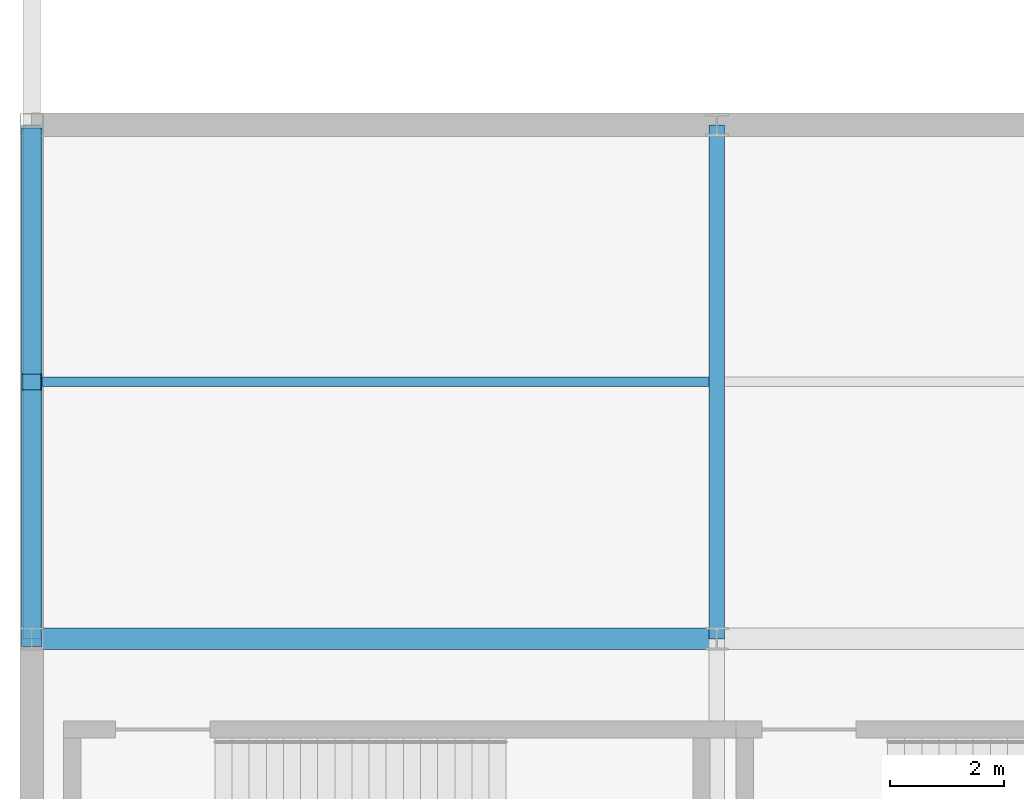
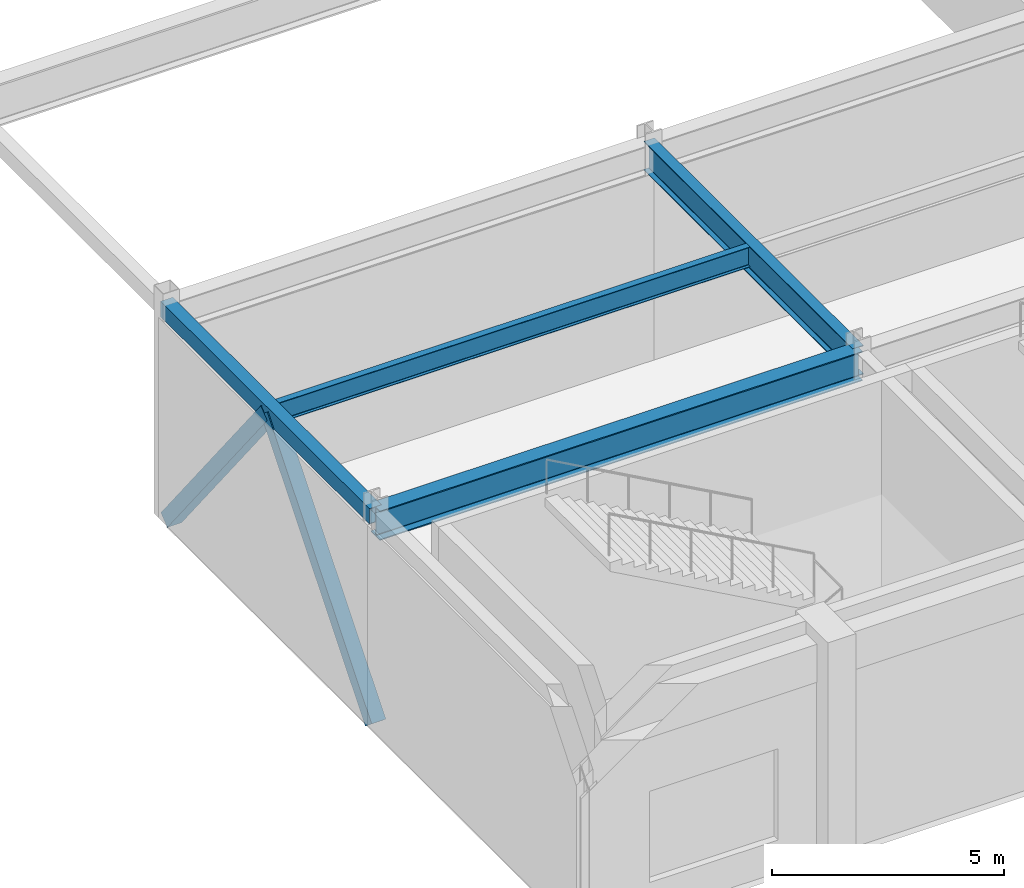
# One storey, part 15 of 105: 4 beams, 2 members.
"""IFC4 building model written with IfcOpenShell, lengths in metres."""

from ifc_helpers import new_model, si_unit, direction, frame, origin, origin_2d, place, context, subcontext, project, spatial, hollow_rectangle, i_section, extrude, material, material_profile, profile_set, type_object, element, save


model = new_model("IFC4")

# Units and contexts
model_context = context("Model", 3, precision=1e-05, world=origin(), true_north=direction((0.0, 1.0)))
body_context = subcontext(model_context, "Body", "Model", "MODEL_VIEW")
ifc_project = project(units=[si_unit("LENGTHUNIT", "METRE"), si_unit("AREAUNIT", "SQUARE_METRE"), si_unit("VOLUMEUNIT", "CUBIC_METRE"), si_unit("PLANEANGLEUNIT", "RADIAN"), si_unit("MASSUNIT", "GRAM", prefix="KILO")], contexts=[model_context])

# Site, building, storey
site_placement = place(None, origin())
site = spatial("IfcSite", under=ifc_project, at=site_placement, CompositionType="ELEMENT")
building_placement = place(site_placement, origin())
building = spatial("IfcBuilding", under=site, at=building_placement, Name="Kaldorvane Square Convention Centre", CompositionType="ELEMENT")
storey_placement = place(building_placement, frame((0.0, 0.0, 6.0)))
storey = spatial("IfcBuildingStorey", under=building, at=storey_placement, Name="L01", CompositionType="ELEMENT", Elevation=6.0)

# Beams
ifc_material_1 = material(Name="Steel ASTM A992 Gr. 50", Category="steel")
ifc_material_profile_1 = material_profile(ifc_material_1, i_section(OverallWidth=0.2666015625, OverallDepth=0.762298583984375, WebThickness=0.014404296875, FlangeThickness=0.0216064453125, FilletRadius=0.0164947509765625, at=origin_2d()), Name="W30X116")
ifc_profile_set_1 = profile_set([ifc_material_profile_1], Name="Steel ASTM A992 Gr. 50")
beam_type_1 = type_object("IfcBeamType", Name="BM-GR-W30X116", PredefinedType="BEAM", material=ifc_profile_set_1)
beam_1_placement = place(storey_placement, frame((12.0, 9.0, 5.2949066162109375), z_axis=(0.0, 1.0, 0.0), x_axis=(-1.0, 0.0, 0.0)))
element("IfcBeam", 1, at=beam_1_placement, inside=storey, type_object=beam_type_1, Name="Transverse Girder (L01)", PredefinedType="BEAM", context=body_context, shape_type="SweptSolid", body=[
    extrude(i_section(OverallWidth=0.2666015625, OverallDepth=0.762298583984375, WebThickness=0.014404296875, FlangeThickness=0.0216064453125, FilletRadius=0.0164947509765625, at=origin_2d()), origin(), (0.0, 0.0, 1.0), 9.0),
])
ifc_material_profile_2 = material_profile(ifc_material_1, i_section(OverallWidth=0.380706787109375, OverallDepth=0.773193359375, WebThickness=0.0166015625, FlangeThickness=0.027099609375, FilletRadius=0.0164947509765625, at=origin_2d()), Name="W30X173")
ifc_profile_set_2 = profile_set([ifc_material_profile_2], Name="Steel ASTM A992 Gr. 50")
beam_type_2 = type_object("IfcBeamType", Name="BM-GR-W30X173", PredefinedType="BEAM", material=ifc_profile_set_2)
beam_2_placement = place(storey_placement, frame((0.0, 9.0, 5.289398193359375), z_axis=(1.0, 0.0, 0.0), x_axis=(0.0, 1.0, 0.0)))
element("IfcBeam", 2, at=beam_2_placement, inside=storey, type_object=beam_type_2, Name="Primary Girder (L01)", PredefinedType="BEAM", context=body_context, shape_type="SweptSolid", body=[
    extrude(i_section(OverallWidth=0.380706787109375, OverallDepth=0.773193359375, WebThickness=0.0166015625, FlangeThickness=0.027099609375, FilletRadius=0.0164947509765625, at=origin_2d()), origin(), (0.0, 0.0, 1.0), 12.0),
])
ifc_material_profile_3 = material_profile(ifc_material_1, i_section(OverallWidth=0.1658935546875, OverallDepth=0.5290985107421875, WebThickness=0.00970458984375, FlangeThickness=0.0135955810546875, FilletRadius=0.0126953125, at=origin_2d()), Name="W21X50")
ifc_profile_set_3 = profile_set([ifc_material_profile_3], Name="Steel ASTM A992 Gr. 50")
beam_type_3 = type_object("IfcBeamType", Name="BM-JS-W21X50", PredefinedType="JOIST", material=ifc_profile_set_3)
beam_3_placement = place(storey_placement, frame((0.15240478515625, 13.5, 5.4114990234375), z_axis=(1.0, 0.0, 0.0), x_axis=(0.0, 1.0, 0.0)))
element("IfcBeam", 3, at=beam_3_placement, inside=storey, type_object=beam_type_3, Name="Secondary Floor Joist (L01)", PredefinedType="JOIST", context=body_context, shape_type="SweptSolid", body=[
    extrude(i_section(OverallWidth=0.1658935546875, OverallDepth=0.5290985107421875, WebThickness=0.00970458984375, FlangeThickness=0.0135955810546875, FilletRadius=0.0126953125, at=origin_2d()), origin(), (0.0, 0.0, 1.0), 11.71429443359375),
])
ifc_material_2 = material(Name="Steel ASTM A500 Gr. C", Category="steel")
ifc_material_profile_4 = material_profile(ifc_material_2, hollow_rectangle(XDim=0.3047943115234375, YDim=0.406402587890625, WallThickness=0.0117950439453125, at=origin_2d()), Name="HSS16X12X1/2")
ifc_profile_set_4 = profile_set([ifc_material_profile_4], Name="Steel ASTM A500 Gr. C")
beam_type_4 = type_object("IfcBeamType", Name="BM-SP-HSS16", PredefinedType="SPANDREL", material=ifc_profile_set_4)
beam_4_placement = place(storey_placement, frame((0.0, 9.0, 5.4727935791015625), z_axis=(0.0, 1.0, 0.0), x_axis=(-1.0, 0.0, 0.0)))
element("IfcBeam", 4, at=beam_4_placement, inside=storey, type_object=beam_type_4, Name="End Spandrel (L01)", PredefinedType="SPANDREL", context=body_context, shape_type="SweptSolid", body=[
    extrude(hollow_rectangle(XDim=0.3047943115234375, YDim=0.406402587890625, WallThickness=0.0117950439453125, at=origin_2d()), origin(), (0.0, 0.0, 1.0), 9.0),
])

# Members
ifc_material_profile_5 = material_profile(ifc_material_2, hollow_rectangle(XDim=0.3556060791015625, YDim=0.3556060791015625, WallThickness=0.0117950439453125, at=origin_2d()), Name="HSS14X14X1/2")
ifc_profile_set_5 = profile_set([ifc_material_profile_5], Name="Steel ASTM A500 Gr. C")
member_type = type_object("IfcMemberType", Name="MB-BR-HSS14", PredefinedType="BRACE", material=ifc_profile_set_5)
member_1_placement = place(storey_placement, frame((0.0, 9.0, 0.0), z_axis=(0.0, 0.635117820374, 0.772415273181), x_axis=(-1.0, 0.0, 0.0)))
element("IfcMember", 5, at=member_1_placement, inside=storey, type_object=member_type, Name="Seismic Chevron Brace X0-B1A (L01)", PredefinedType="BRACE", context=body_context, shape_type="SweptSolid", body=[
    extrude(hollow_rectangle(XDim=0.3556060791015625, YDim=0.3556060791015625, WallThickness=0.0117950439453125, at=origin_2d()), origin(), (0.0, 0.0, 1.0), 7.085296630859375),
])
member_2_placement = place(storey_placement, frame((0.0, 17.80419921875, 0.0500030517578125), z_axis=(0.0, -0.62169305961, 0.783260965217), x_axis=(1.0, 0.0, 0.0)))
element("IfcMember", 6, at=member_2_placement, inside=storey, type_object=member_type, Name="Seismic Chevron Brace X0-B1B (L01)", PredefinedType="BRACE", context=body_context, shape_type="SweptSolid", body=[
    extrude(hollow_rectangle(XDim=0.3556060791015625, YDim=0.3556060791015625, WallThickness=0.0117950439453125, at=origin_2d()), origin(), (0.0, 0.0, 1.0), 6.9233551025390625),
])

save(model, "model.ifc")
